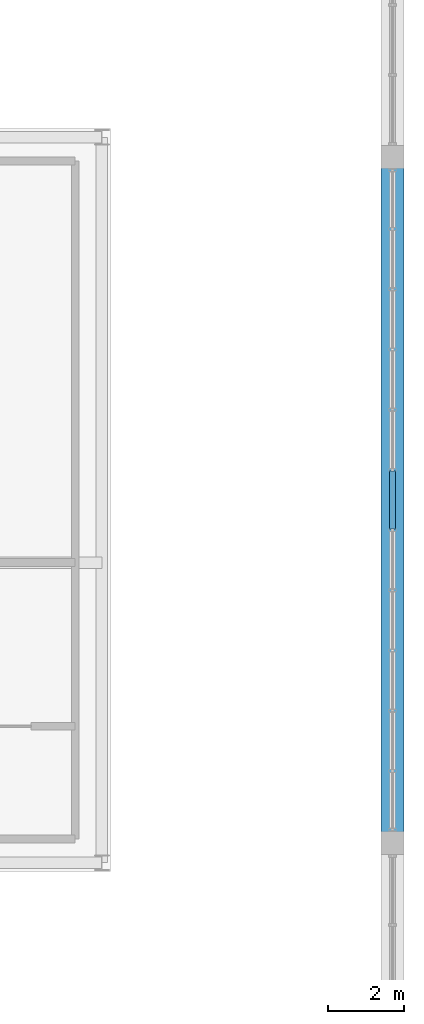
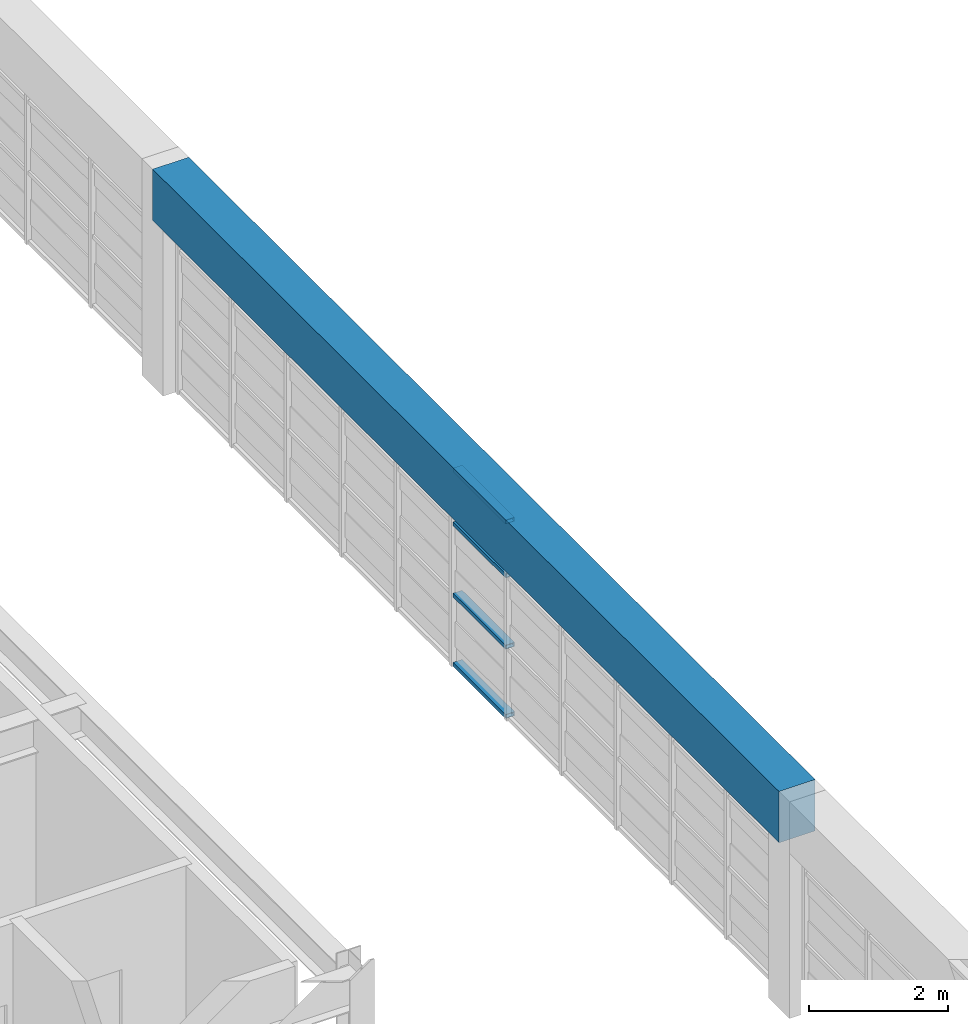
# One storey, part 15 of 27: 4 members, 1 beam, 1 element without a shape of its own.
"""IFC4 building model written with IfcOpenShell, lengths in metres."""

import ifcopenshell
import ifcopenshell.guid

model = None  # the IFC model being written
_history = None  # IfcOwnerHistory: only IFC2X3 demands one
_inside = {}  # id of a spatial element -> (the spatial element, [elements in it])
_under = {}  # id of a project, library or spatial element -> (it, [spatial elements below it])
_declared = {}  # id of a project -> (the project, [libraries it declares])
_typed = {}  # id of a type object -> (the type object, [elements of that type])
_made_of = {}  # id of a material, layer set ... -> (it, [elements and type objects made of it])


def new_model(schema):
    """Start an empty IFC model of exactly this schema.

    Asked for "IFC4X3", IfcOpenShell would pick the latest addendum, in which some entities
    have other attributes; the version numbers below select the first issue.
    IFC2X3 requires an IfcOwnerHistory on every rooted entity: one is made here for all.
    """
    global model, _history
    if schema == "IFC4X3":
        model = ifcopenshell.file(schema_version=(4, 3, 0, 0))
    else:
        model = ifcopenshell.file(schema=schema)
    _inside.clear()
    _under.clear()
    _declared.clear()
    _typed.clear()
    _made_of.clear()
    _history = None
    if model.schema == "IFC2X3":
        org = make("IfcOrganization", Name="unknown")
        user = make(
            "IfcPersonAndOrganization",
            ThePerson=make("IfcPerson", FamilyName="unknown"),
            TheOrganization=org,
        )
        app = make(
            "IfcApplication",
            ApplicationDeveloper=org,
            Version="unknown",
            ApplicationFullName="unknown",
            ApplicationIdentifier="unknown",
        )
        _history = make(
            "IfcOwnerHistory",
            OwningUser=user,
            OwningApplication=app,
            ChangeAction="ADDED",
            CreationDate=0,
        )
    return model


def make(cls, **values):
    """One entity of the class cls with the attributes given. An attribute that is None is left unset."""
    return model.create_entity(
        cls, **{name: value for name, value in values.items() if value is not None}
    )


def rooted(cls, **values):
    """An entity with a GlobalId (a new one), such as an element, a storey or a relation."""
    return make(cls, GlobalId=ifcopenshell.guid.new(), OwnerHistory=_history, **values)


def si_unit(unit_type, name, prefix=None):
    """IfcSIUnit, for example si_unit("LENGTHUNIT", "METRE", prefix="MILLI")."""
    return make("IfcSIUnit", UnitType=unit_type, Prefix=prefix, Name=name)


def assignment(units):
    """IfcUnitAssignment: the units of a project."""
    return None if units is None else make("IfcUnitAssignment", Units=units)


def point(xyz):
    """IfcCartesianPoint."""
    return None if xyz is None else make("IfcCartesianPoint", Coordinates=xyz)


def direction(xyz):
    """IfcDirection."""
    return None if xyz is None else make("IfcDirection", DirectionRatios=xyz)


def frame(location, z_axis=None, x_axis=None):
    """IfcAxis2Placement3D, a coordinate frame: its origin and axes. An axis left out is left unset."""
    return make(
        "IfcAxis2Placement3D",
        Location=point(location),
        Axis=direction(z_axis),
        RefDirection=direction(x_axis),
    )


def frame_2d(location, x_axis=None):
    """IfcAxis2Placement2D, a coordinate frame in the plane: its origin and x axis."""
    return make(
        "IfcAxis2Placement2D", Location=point(location), RefDirection=direction(x_axis)
    )


def origin():
    """The frame at (0, 0, 0) with its axes left unset."""
    return frame((0.0, 0.0, 0.0))


def origin_2d():
    """The frame at (0, 0) in the plane with its x axis left unset."""
    return frame_2d((0.0, 0.0))


def place(relative_to, where):
    """IfcLocalPlacement: puts the frame where relative to a parent placement (None: the world)."""
    return make(
        "IfcLocalPlacement", PlacementRelTo=relative_to, RelativePlacement=where
    )


def context(
    kind, dimensions, precision=None, world=None, true_north=None, identifier=None
):
    """IfcGeometricRepresentationContext, for example the 3D "Model" context."""
    return make(
        "IfcGeometricRepresentationContext",
        ContextIdentifier=identifier,
        ContextType=kind,
        CoordinateSpaceDimension=dimensions,
        Precision=precision,
        WorldCoordinateSystem=world,
        TrueNorth=true_north,
    )


def subcontext(parent, identifier, kind, view, scale=None):
    """IfcGeometricRepresentationSubContext, for example "Body" below "Model"."""
    return make(
        "IfcGeometricRepresentationSubContext",
        ContextIdentifier=identifier,
        ContextType=kind,
        ParentContext=parent,
        TargetScale=scale,
        TargetView=view,
    )


def project(units=None, contexts=None):
    """IfcProject with its units and contexts."""
    return rooted(
        "IfcProject",
        Name="project",
        RepresentationContexts=contexts,
        UnitsInContext=assignment(units),
    )


def spatial(cls, under=None, at=None, **own):
    """A site, building, storey or space (cls), placed at a placement, below another one or the project."""
    s = rooted(cls, ObjectPlacement=at, **own)
    if under is not None:
        _under.setdefault(under.id(), (under, []))[1].append(s)
    return s


def profile(cls, at=None, kind="AREA", **sizes):
    """A parametric profile (cls). Its sizes go by their IFC names, for example OverallWidth=200.0."""
    return make(cls, ProfileType=kind, Position=at, **sizes)


def rectangle(**sizes):
    """IfcRectangleProfileDef."""
    return profile("IfcRectangleProfileDef", **sizes)


def hollow_rectangle(**sizes):
    """IfcRectangleHollowProfileDef."""
    return profile("IfcRectangleHollowProfileDef", **sizes)


def extrude(swept, where, along, depth):
    """IfcExtrudedAreaSolid: the profile swept, set in the frame where, extruded along a direction by depth."""
    return make(
        "IfcExtrudedAreaSolid",
        SweptArea=swept,
        Position=where,
        ExtrudedDirection=direction(along),
        Depth=depth,
    )


def shape(context_of_items, identifier, shape_type, items):
    """IfcShapeRepresentation: the items that make up one representation, for example the "Body"."""
    return make(
        "IfcShapeRepresentation",
        ContextOfItems=context_of_items,
        RepresentationIdentifier=identifier,
        RepresentationType=shape_type,
        Items=items,
    )


def source(mapping_origin, context_of_items, identifier, shape_type, items):
    """IfcRepresentationMap: a shape defined once, which mapped items show again and again."""
    return make(
        "IfcRepresentationMap",
        MappingOrigin=mapping_origin,
        MappedRepresentation=shape(context_of_items, identifier, shape_type, items),
    )


def transform(
    local_origin,
    x_axis=None,
    y_axis=None,
    z_axis=None,
    scale=None,
    scale2=None,
    scale3=None,
    uniform=True,
):
    """IfcCartesianTransformationOperator3D, or its non-uniform kind. x_axis, y_axis, z_axis: its Axis1, 2, 3."""
    if uniform:
        return make(
            "IfcCartesianTransformationOperator3D",
            Axis1=direction(x_axis),
            Axis2=direction(y_axis),
            LocalOrigin=point(local_origin),
            Scale=scale,
            Axis3=direction(z_axis),
        )
    return make(
        "IfcCartesianTransformationOperator3DnonUniform",
        Axis1=direction(x_axis),
        Axis2=direction(y_axis),
        LocalOrigin=point(local_origin),
        Scale=scale,
        Axis3=direction(z_axis),
        Scale2=scale2,
        Scale3=scale3,
    )


def mapped(mapping_source, mapping_target):
    """IfcMappedItem: shows the shape of a source again, moved by a transform."""
    return make(
        "IfcMappedItem", MappingSource=mapping_source, MappingTarget=mapping_target
    )


def material(Name=None, Category=None):
    """IfcMaterial."""
    return make("IfcMaterial", Name=Name, Category=Category)


def layer(
    of_material, thickness, ventilated=None, Name=None, Category=None, Priority=None
):
    """IfcMaterialLayer: one layer of a wall or slab, of a material (None: an air gap)."""
    return make(
        "IfcMaterialLayer",
        Material=of_material,
        LayerThickness=thickness,
        IsVentilated=ventilated,
        Name=Name,
        Category=Category,
        Priority=Priority,
    )


def layer_set(layers, Name=None):
    """IfcMaterialLayerSet."""
    return make("IfcMaterialLayerSet", MaterialLayers=layers, LayerSetName=Name)


def material_profile(
    of_material, cross_section, Name=None, Category=None, Priority=None
):
    """IfcMaterialProfile: a cross section and its material."""
    return make(
        "IfcMaterialProfile",
        Name=Name,
        Material=of_material,
        Profile=cross_section,
        Priority=Priority,
        Category=Category,
    )


def profile_set(profiles, Name=None, composite=None):
    """IfcMaterialProfileSet."""
    return make(
        "IfcMaterialProfileSet",
        Name=Name,
        MaterialProfiles=profiles,
        CompositeProfile=composite,
    )


def made_of(thing, what):
    """Note that an element or type object is made of a material, layer set ...; save() writes the relation."""
    if what is not None:
        _made_of.setdefault(what.id(), (what, []))[1].append(thing)
    return thing


def type_object(cls, material=None, **own):
    """A type object (cls), such as IfcWallType, which elements share."""
    return made_of(rooted(cls, **own), material)


def element(
    cls,
    number,
    at=None,
    inside=None,
    cuts=None,
    type_object=None,
    material=None,
    context=None,
    identifier="Body",
    shape_type=None,
    held_by="IfcProductDefinitionShape",
    body=None,
    shapes=None,
    **own,
):
    """One element of the class cls, such as IfcWall. Its Tag is "e" and its number.

    at: its placement. inside: the storey or other place that contains it. cuts: it is an
    opening in that element (IfcRelVoidsElement). A single representation is given by context,
    identifier, shape_type and body (its items); several are given by shapes. held_by: the class
    of the entity that holds the representations. save() writes the other relations.
    """
    e = rooted(cls, Tag="e%d" % number, ObjectPlacement=at, **own)
    if body is not None:
        shapes = [shape(context, identifier, shape_type, body)]
    if shapes is not None:
        e.Representation = make(held_by, Representations=shapes)
    if inside is not None:
        _inside.setdefault(inside.id(), (inside, []))[1].append(e)
    if cuts is not None:
        rooted(
            "IfcRelVoidsElement", RelatingBuildingElement=cuts, RelatedOpeningElement=e
        )
    if type_object is not None:
        _typed.setdefault(type_object.id(), (type_object, []))[1].append(e)
    return made_of(e, material)


def aggregate(whole, parts):
    """IfcRelAggregates: a whole, such as a stair, and the parts it consists of."""
    return rooted("IfcRelAggregates", RelatingObject=whole, RelatedObjects=parts)


def save(model, path):
    """Write the relations noted so far, then the file.

    IfcRelAggregates (storeys below a building ...), IfcRelContainedInSpatialStructure (elements
    in a storey), IfcRelDefinesByType, IfcRelAssociatesMaterial and IfcRelDeclares: one each for
    every whole, place, type object, material and project.
    """
    for whole, parts in _under.values():
        aggregate(whole, parts)
    for where, things in _inside.values():
        rooted(
            "IfcRelContainedInSpatialStructure",
            RelatedElements=things,
            RelatingStructure=where,
        )
    for kind, things in _typed.values():
        rooted("IfcRelDefinesByType", RelatedObjects=things, RelatingType=kind)
    for what, things in _made_of.values():
        rooted("IfcRelAssociatesMaterial", RelatedObjects=things, RelatingMaterial=what)
    for by, libraries in _declared.values():
        rooted("IfcRelDeclares", RelatingContext=by, RelatedDefinitions=libraries)
    model.write(path)


model = new_model("IFC4")

# Units and contexts
model_context = context("Model", 3, precision=1e-05, world=origin(), true_north=direction((0.0, 1.0)))
body_context = subcontext(model_context, "Body", "Model", "MODEL_VIEW")
ifc_project = project(units=[si_unit("LENGTHUNIT", "METRE"), si_unit("AREAUNIT", "SQUARE_METRE"), si_unit("VOLUMEUNIT", "CUBIC_METRE"), si_unit("PLANEANGLEUNIT", "RADIAN"), si_unit("MASSUNIT", "GRAM", prefix="KILO")], contexts=[model_context])

# Site, building, storey
site_placement = place(None, origin())
site = spatial("IfcSite", under=ifc_project, at=site_placement, CompositionType="ELEMENT")
building_placement = place(site_placement, origin())
building = spatial("IfcBuilding", under=site, at=building_placement, Name="Saelheon Loggia Tower", CompositionType="ELEMENT")
storey_placement = place(building_placement, frame((0.0, 0.0, 263.60009765625)))
storey = spatial("IfcBuildingStorey", under=building, at=storey_placement, Name="CR4", CompositionType="ELEMENT", Elevation=263.60009765625)

# Beam
ifc_material_1 = material(Name="Precast Concrete C45/55", Category="concrete")
ifc_material_profile_1 = material_profile(ifc_material_1, rectangle(XDim=0.60009765625, YDim=0.89990234375, at=origin_2d()), Name="RC-600x900")
ifc_profile_set_1 = profile_set([ifc_material_profile_1], Name="Precast Concrete C45/55")
beam_type = type_object("IfcBeamType", Name="CrownFrame_Ring_RC600x900", PredefinedType="BEAM", material=ifc_profile_set_1)
shared_shape_1 = source(origin(), body_context, "Body", "SweptSolid", [
    extrude(rectangle(XDim=0.60009765625, YDim=0.89990234375, at=origin_2d()), origin(), (0.0, 0.0, 1.0), 18.0),
])
beam_placement = place(storey_placement, frame((52.64990234375, 18.0, 3.349853515625), z_axis=(0.0, 1.0, 0.0), x_axis=(-1.0, 0.0, 0.0)))
element("IfcBeam", 1, at=beam_placement, inside=storey, type_object=beam_type, Name="CR4 CROWN FRAME Ring Beam 06", PredefinedType="BEAM", context=body_context, shape_type="MappedRepresentation", body=[
    mapped(shared_shape_1, transform((0.0, 0.0, 0.0), scale=1.0)),
])

# Curtain wall, members
ifc_material_2 = material(Name="Bronze-Anodised Aluminium and Fritted Ceramic Screen", Category="aluminium")
ifc_layer = layer(ifc_material_2, 0.219970703125)
ifc_layer_set = layer_set([ifc_layer], Name="Bronze-Anodised Aluminium and Fritted Ceramic Screen")
curtain_wall_type = type_object("IfcCurtainWallType", Name="CW_CrownScreen", PredefinedType="NOTDEFINED", material=ifc_layer_set)
curtain_wall_placement = place(storey_placement, origin())
curtain_wall = element("IfcCurtainWall", 2, at=curtain_wall_placement, inside=storey, type_object=curtain_wall_type, Name="CR4 Crown Screen Curtain Wall 3-2", PredefinedType="NOTDEFINED")
ifc_material_3 = material(Name="Bronze-Anodised Aluminium 6063-T6", Category="aluminium")
ifc_material_profile_2 = material_profile(ifc_material_3, hollow_rectangle(XDim=0.070068359375, YDim=0.14990234375, WallThickness=0.0048828125, at=origin_2d()), Name="RHS-150x70x5")
ifc_profile_set_2 = profile_set([ifc_material_profile_2], Name="Bronze-Anodised Aluminium 6063-T6")
member_type = type_object("IfcMemberType", Name="CW_CrownScreen_Transom", PredefinedType="USERDEFINED", material=ifc_profile_set_2)
shared_shape_2 = source(origin(), body_context, "Body", "SweptSolid", [
    extrude(hollow_rectangle(XDim=0.070068359375, YDim=0.14990234375, WallThickness=0.0048828125, at=origin_2d()), origin(), (0.0, 0.0, 1.0), 1.509765625),
])
member_1_placement = place(storey_placement, frame((52.64990234375, 26.2451171875, 0.034912109375), z_axis=(0.0, 1.0, 0.0), x_axis=(0.0, 0.0, 1.0)))
member_1 = element("IfcMember", 3, at=member_1_placement, type_object=member_type, Name="CW6 transom 6.1", ObjectType="TRANSOM", PredefinedType="USERDEFINED", context=body_context, shape_type="MappedRepresentation", body=[
    mapped(shared_shape_2, transform((0.0, 0.0, 0.0), scale=1.0)),
])
member_2_placement = place(storey_placement, frame((52.64990234375, 26.2451171875, 1.25), z_axis=(0.0, 1.0, 0.0), x_axis=(0.0, 0.0, 1.0)))
member_2 = element("IfcMember", 4, at=member_2_placement, type_object=member_type, Name="CW6 transom 6.2", ObjectType="TRANSOM", PredefinedType="USERDEFINED", context=body_context, shape_type="MappedRepresentation", body=[
    mapped(shared_shape_2, transform((0.0, 0.0, 0.0), scale=1.0)),
])
member_3_placement = place(storey_placement, frame((52.64990234375, 26.2451171875, 2.5), z_axis=(0.0, 1.0, 0.0), x_axis=(0.0, 0.0, 1.0)))
member_3 = element("IfcMember", 5, at=member_3_placement, type_object=member_type, Name="CW6 transom 6.3", ObjectType="TRANSOM", PredefinedType="USERDEFINED", context=body_context, shape_type="MappedRepresentation", body=[
    mapped(shared_shape_2, transform((0.0, 0.0, 0.0), scale=1.0)),
])
member_4_placement = place(storey_placement, frame((52.64990234375, 26.2451171875, 3.44482421875), z_axis=(0.0, 1.0, 0.0), x_axis=(0.0, 0.0, 1.0)))
member_4 = element("IfcMember", 6, at=member_4_placement, type_object=member_type, Name="CW6 transom 6.4", ObjectType="TRANSOM", PredefinedType="USERDEFINED", context=body_context, shape_type="MappedRepresentation", body=[
    mapped(shared_shape_2, transform((0.0, 0.0, 0.0), scale=1.0)),
])
aggregate(curtain_wall, [member_1, member_2, member_3, member_4])

save(model, "model.ifc")
